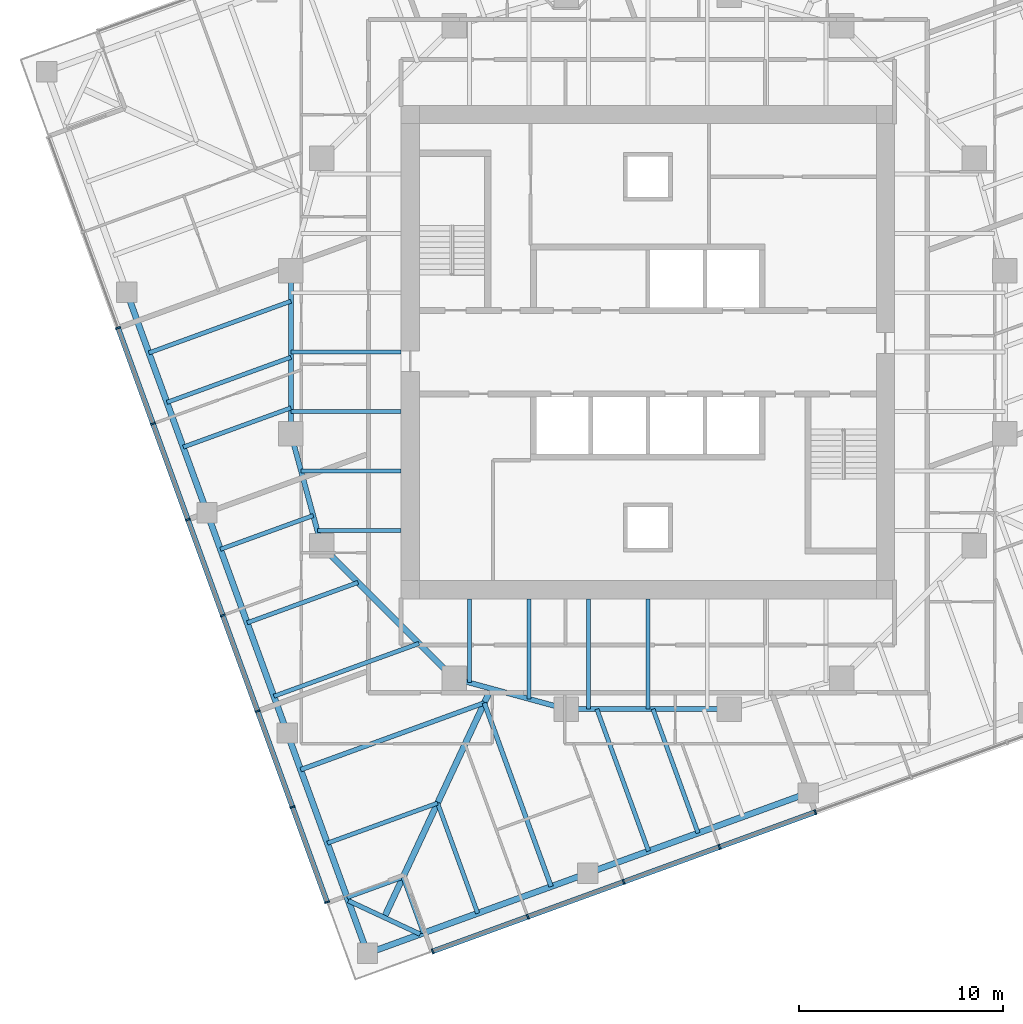
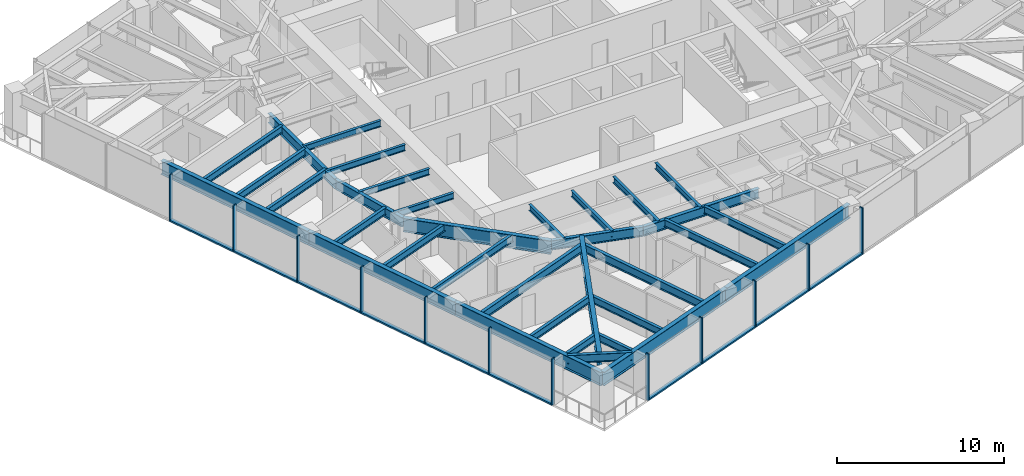
# One storey, part 2 of 13: 34 beams, 22 members, 2 elements without a shape of their own.
"""IFC4 building model written with IfcOpenShell, lengths in metres."""

from ifc_helpers import new_model, si_unit, direction, frame, origin, origin_2d, place, context, subcontext, project, spatial, rectangle, i_section, extrude, material, material_profile, profile_set, type_object, element, aggregate, save


model = new_model("IFC4")

# Units and contexts
model_context = context("Model", 3, precision=1e-05, world=origin(), true_north=direction((0.0, 1.0)))
body_context = subcontext(model_context, "Body", "Model", "MODEL_VIEW")
ifc_project = project(units=[si_unit("LENGTHUNIT", "METRE"), si_unit("AREAUNIT", "SQUARE_METRE"), si_unit("VOLUMEUNIT", "CUBIC_METRE"), si_unit("PLANEANGLEUNIT", "RADIAN"), si_unit("MASSUNIT", "GRAM", prefix="KILO")], contexts=[model_context])

# Site, building, storey
site_placement = place(None, origin())
site = spatial("IfcSite", under=ifc_project, at=site_placement, CompositionType="ELEMENT")
building_placement = place(site_placement, origin())
building = spatial("IfcBuilding", under=site, at=building_placement, Name="Torsade Residences", CompositionType="ELEMENT")
storey_placement = place(building_placement, frame((0.0, 0.0, 143.800048828125)))
storey = spatial("IfcBuildingStorey", under=building, at=storey_placement, Name="L39", CompositionType="ELEMENT", Elevation=143.800048828125)

# Beams
ifc_material_1 = material(Name="Steel grade 300", Category="steel")
ifc_material_profile_1 = material_profile(ifc_material_1, i_section(OverallWidth=0.300048828125, OverallDepth=0.89990234375, WebThickness=0.011962890625, FlangeThickness=0.02490234375, at=origin_2d()), Name="900WB175")
ifc_profile_set_1 = profile_set([ifc_material_profile_1], Name="Steel grade 300")
beam_type_1 = type_object("IfcBeamType", Name="CORNER GIRDER 900WB175", PredefinedType="BEAM", material=ifc_profile_set_1)
beam_1_placement = place(storey_placement, frame((27.075439453125, 2.282958984375, 2.800048828125), z_axis=(0.422616712682, 0.906308509373, 0.0), x_axis=(-0.906308509373, 0.422616712682, 0.0)))
element("IfcBeam", 1, at=beam_1_placement, inside=storey, type_object=beam_type_1, Name="Corner girder 01 L40", PredefinedType="BEAM", context=body_context, shape_type="SweptSolid", body=[
    extrude(i_section(OverallWidth=0.300048828125, OverallDepth=0.89990234375, WebThickness=0.011962890625, FlangeThickness=0.02490234375, at=origin_2d()), origin(), (0.0, 0.0, 1.0), 12.3837890625),
])
ifc_material_2 = material(Name="Steel grade 300", Category="steel")
ifc_material_profile_2 = material_profile(ifc_material_2, i_section(OverallWidth=0.22802734375, OverallDepth=0.60205078125, WebThickness=0.010498046875, FlangeThickness=0.014892578125, FilletRadius=0.013916015625, at=origin_2d()), Name="610UB101")
ifc_profile_set_2 = profile_set([ifc_material_profile_2], Name="Steel grade 300")
beam_type_2 = type_object("IfcBeamType", Name="CORNER TRIMMER 610UB101", PredefinedType="BEAM", material=ifc_profile_set_2)
beam_2_placement = place(storey_placement, frame((28.837646484375, 1.461181640625, 2.948974609375), z_axis=(-0.906309798645, 0.422613947806, 0.0), x_axis=(-0.422613947806, -0.906309798645, 0.0)))
element("IfcBeam", 2, at=beam_2_placement, inside=storey, type_object=beam_type_2, Name="Corner trimmer 01 L40", PredefinedType="BEAM", context=body_context, shape_type="SweptSolid", body=[
    extrude(i_section(OverallWidth=0.22802734375, OverallDepth=0.60205078125, WebThickness=0.010498046875, FlangeThickness=0.014892578125, FilletRadius=0.013916015625, at=origin_2d()), origin(), (0.0, 0.0, 1.0), 3.888916015625),
])
ifc_material_3 = material(Name="Steel grade 300", Category="steel")
ifc_material_profile_3 = material_profile(ifc_material_3, i_section(OverallWidth=0.300048828125, OverallDepth=1.0, WebThickness=0.01611328125, FlangeThickness=0.028076171875, at=origin_2d()), Name="1000WB215")
ifc_profile_set_3 = profile_set([ifc_material_profile_3], Name="Steel grade 300")
beam_type_3 = type_object("IfcBeamType", Name="EDGE BEAM 1000WB215", PredefinedType="SPANDREL", material=ifc_profile_set_3)
beam_3_placement = place(storey_placement, frame((26.25341796875, 0.5205078125, 2.75), z_axis=(0.93969110915, 0.342024296483, 0.0), x_axis=(-0.342024296483, 0.93969110915, 0.0)))
element("IfcBeam", 3, at=beam_3_placement, inside=storey, type_object=beam_type_3, Name="Edge beam 01 L40", PredefinedType="SPANDREL", context=body_context, shape_type="SweptSolid", body=[
    extrude(i_section(OverallWidth=0.300048828125, OverallDepth=1.0, WebThickness=0.01611328125, FlangeThickness=0.028076171875, at=origin_2d()), origin(), (0.0, 0.0, 1.0), 11.500244140625),
])
for number, where, z_axis, x_axis, name in (
    (4, (37.06005859375, 4.453857421875, 2.75), (0.939695448801, 0.342012373318, 0.0), (-0.342012373318, 0.939695448801, 0.0), "Edge beam 02 L40"),
    (5, (14.453857421875, 32.93994140625, 2.75), (0.342012373318, -0.939695448801, 0.0), (0.939695448801, 0.342012373318, 0.0), "Edge beam 14 L40"),
    (6, (18.386962890625, 22.133544921875, 2.75), (0.342031119628, -0.939688625666, 0.0), (0.939688625666, 0.342031119628, 0.0), "Edge beam 15 L40"),
    (7, (22.3203125, 11.3271484375, 2.75), (0.342005550448, -0.939697932031, 0.0), (0.939697932031, 0.342005550448, 0.0), "Edge beam 16 L40"),
):
    element("IfcBeam", number, at=place(storey_placement, frame(where, z_axis=z_axis, x_axis=x_axis)), inside=storey, type_object=beam_type_3, Name=name, PredefinedType="SPANDREL", context=body_context, shape_type="SweptSolid", body=[
        extrude(i_section(OverallWidth=0.300048828125, OverallDepth=1.0, WebThickness=0.01611328125, FlangeThickness=0.028076171875, at=origin_2d()), origin(), (0.0, 0.0, 1.0), 11.5),
    ])
ifc_material_4 = material(Name="Steel grade 300", Category="steel")
ifc_material_profile_4 = material_profile(ifc_material_4, i_section(OverallWidth=0.18994140625, OverallDepth=0.4541015625, WebThickness=0.008544921875, FlangeThickness=0.0126953125, FilletRadius=0.011474609375, at=origin_2d()), Name="460UB67.1")
ifc_profile_set_4 = profile_set([ifc_material_profile_4], Name="Steel grade 300")
beam_type_4 = type_object("IfcBeamType", Name="INNER FLOOR BEAM 460UB67.1", PredefinedType="JOIST", material=ifc_profile_set_4)
for number, where, z_axis, x_axis, name in (
    (8, (40.0, 17.89990234375, 3.02294921875), (0.0, -1.0, 0.0), (1.0, 0.0, 0.0), "Inner floor beam IS04 L40"),
    (9, (37.08740234375, 17.89990234375, 3.02294921875), (0.0, -1.0, 0.0), (1.0, 0.0, 0.0), "Inner floor beam IS05 L40"),
):
    element("IfcBeam", number, at=place(storey_placement, frame(where, z_axis=z_axis, x_axis=x_axis)), inside=storey, type_object=beam_type_4, Name=name, PredefinedType="JOIST", context=body_context, shape_type="SweptSolid", body=[
        extrude(i_section(OverallWidth=0.18994140625, OverallDepth=0.4541015625, WebThickness=0.008544921875, FlangeThickness=0.0126953125, FilletRadius=0.011474609375, at=origin_2d()), origin(), (0.0, 0.0, 1.0), 5.39990234375),
    ])
beam_4_placement = place(storey_placement, frame((34.175048828125, 17.89990234375, 3.02294921875), z_axis=(0.0, -1.0, 0.0), x_axis=(1.0, 0.0, 0.0)))
element("IfcBeam", 10, at=beam_4_placement, inside=storey, type_object=beam_type_4, Name="Inner floor beam IS06 L40", PredefinedType="JOIST", context=body_context, shape_type="SweptSolid", body=[
    extrude(i_section(OverallWidth=0.18994140625, OverallDepth=0.4541015625, WebThickness=0.008544921875, FlangeThickness=0.0126953125, FilletRadius=0.011474609375, at=origin_2d()), origin(), (0.0, 0.0, 1.0), 4.902099609375),
])
beam_5_placement = place(storey_placement, frame((31.262451171875, 17.89990234375, 3.02294921875), z_axis=(0.0, -1.0, 0.0), x_axis=(1.0, 0.0, 0.0)))
element("IfcBeam", 11, at=beam_5_placement, inside=storey, type_object=beam_type_4, Name="Inner floor beam IS07 L40", PredefinedType="JOIST", context=body_context, shape_type="SweptSolid", body=[
    extrude(i_section(OverallWidth=0.18994140625, OverallDepth=0.4541015625, WebThickness=0.008544921875, FlangeThickness=0.0126953125, FilletRadius=0.011474609375, at=origin_2d()), origin(), (0.0, 0.0, 1.0), 4.10791015625),
])
for number, where, z_axis, x_axis, name in (
    (12, (27.89990234375, 30.0, 3.02294921875), (-1.0, 0.0, 0.0), (0.0, -1.0, 0.0), "Inner floor beam IW04 L40"),
    (13, (27.89990234375, 27.08740234375, 3.02294921875), (-1.0, 0.0, 0.0), (0.0, -1.0, 0.0), "Inner floor beam IW05 L40"),
):
    element("IfcBeam", number, at=place(storey_placement, frame(where, z_axis=z_axis, x_axis=x_axis)), inside=storey, type_object=beam_type_4, Name=name, PredefinedType="JOIST", context=body_context, shape_type="SweptSolid", body=[
        extrude(i_section(OverallWidth=0.18994140625, OverallDepth=0.4541015625, WebThickness=0.008544921875, FlangeThickness=0.0126953125, FilletRadius=0.011474609375, at=origin_2d()), origin(), (0.0, 0.0, 1.0), 5.39990234375),
    ])
beam_6_placement = place(storey_placement, frame((27.89990234375, 24.175048828125, 3.02294921875), z_axis=(-1.0, 0.0, 0.0), x_axis=(0.0, -1.0, 0.0)))
element("IfcBeam", 14, at=beam_6_placement, inside=storey, type_object=beam_type_4, Name="Inner floor beam IW06 L40", PredefinedType="JOIST", context=body_context, shape_type="SweptSolid", body=[
    extrude(i_section(OverallWidth=0.18994140625, OverallDepth=0.4541015625, WebThickness=0.008544921875, FlangeThickness=0.0126953125, FilletRadius=0.011474609375, at=origin_2d()), origin(), (0.0, 0.0, 1.0), 4.902099609375),
])
beam_7_placement = place(storey_placement, frame((27.89990234375, 21.262451171875, 3.02294921875), z_axis=(-1.0, 0.0, 0.0), x_axis=(0.0, -1.0, 0.0)))
element("IfcBeam", 15, at=beam_7_placement, inside=storey, type_object=beam_type_4, Name="Inner floor beam IW07 L40", PredefinedType="JOIST", context=body_context, shape_type="SweptSolid", body=[
    extrude(i_section(OverallWidth=0.18994140625, OverallDepth=0.4541015625, WebThickness=0.008544921875, FlangeThickness=0.0126953125, FilletRadius=0.011474609375, at=origin_2d()), origin(), (0.0, 0.0, 1.0), 4.10791015625),
])

# Curtain wall, members
ifc_material_5 = material(Name="Aluminium and glass", Category="aluminium")
curtain_wall_type = type_object("IfcCurtainWallType", Name="FRITTED GLASS CURTAIN WALL MID ZONE", PredefinedType="NOTDEFINED", material=ifc_material_5)
curtain_wall_1_placement = place(storey_placement, origin())
curtain_wall_1 = element("IfcCurtainWall", 16, at=curtain_wall_1_placement, inside=storey, type_object=curtain_wall_type, Name="Curtain wall L39 face 1", PredefinedType="NOTDEFINED")
ifc_material_6 = material(Name="Aluminium mullion", Category="aluminium")
ifc_material_profile_5 = material_profile(ifc_material_6, rectangle(XDim=0.25, YDim=0.080078125, at=origin_2d()), Name="MID ZONE CURTAIN WALL MULLION 250x80")
ifc_profile_set_5 = profile_set([ifc_material_profile_5], Name="Aluminium mullion")
member_type_1 = type_object("IfcMemberType", Name="MID ZONE CURTAIN WALL MULLION 250x80", PredefinedType="MULLION", material=ifc_profile_set_5)
member_1_placement = place(storey_placement, frame((29.4521484375, 0.62060546875, 0.0), z_axis=(0.0, 0.0, 1.0), x_axis=(-0.342020147869, 0.939692619132, 0.0)))
member_1 = element("IfcMember", 17, at=member_1_placement, type_object=member_type_1, Name="Mullion 1", PredefinedType="MULLION", context=body_context, shape_type="SweptSolid", body=[
    extrude(rectangle(XDim=0.25, YDim=0.080078125, at=origin_2d()), origin(), (0.0, 0.0, 1.0), 3.39990234375),
])
member_2_placement = place(storey_placement, frame((34.113037109375, 2.317138671875, 0.0), z_axis=(0.0, 0.0, 1.0), x_axis=(-0.342020147869, 0.939692619132, 0.0)))
member_2 = element("IfcMember", 18, at=member_2_placement, type_object=member_type_1, Name="Mullion 2", PredefinedType="MULLION", context=body_context, shape_type="SweptSolid", body=[
    extrude(rectangle(XDim=0.25, YDim=0.080078125, at=origin_2d()), origin(), (0.0, 0.0, 1.0), 3.39990234375),
])
member_3_placement = place(storey_placement, frame((38.8115234375, 4.027099609375, 0.0), z_axis=(0.0, 0.0, 1.0), x_axis=(-0.342020147869, 0.939692619132, 0.0)))
member_3 = element("IfcMember", 19, at=member_3_placement, type_object=member_type_1, Name="Mullion 3", PredefinedType="MULLION", context=body_context, shape_type="SweptSolid", body=[
    extrude(rectangle(XDim=0.25, YDim=0.080078125, at=origin_2d()), origin(), (0.0, 0.0, 1.0), 3.39990234375),
])
member_4_placement = place(storey_placement, frame((43.510009765625, 5.7373046875, 0.0), z_axis=(0.0, 0.0, 1.0), x_axis=(-0.342020147869, 0.939692619132, 0.0)))
member_4 = element("IfcMember", 20, at=member_4_placement, type_object=member_type_1, Name="Mullion 4", PredefinedType="MULLION", context=body_context, shape_type="SweptSolid", body=[
    extrude(rectangle(XDim=0.25, YDim=0.080078125, at=origin_2d()), origin(), (0.0, 0.0, 1.0), 3.39990234375),
])
member_5_placement = place(storey_placement, frame((48.20849609375, 7.447265625, 0.0), z_axis=(0.0, 0.0, 1.0), x_axis=(-0.342020147869, 0.939692619132, 0.0)))
member_5 = element("IfcMember", 21, at=member_5_placement, type_object=member_type_1, Name="Mullion 5", PredefinedType="MULLION", context=body_context, shape_type="SweptSolid", body=[
    extrude(rectangle(XDim=0.25, YDim=0.080078125, at=origin_2d()), origin(), (0.0, 0.0, 1.0), 3.39990234375),
])

curtain_wall_2_placement = place(storey_placement, origin())
curtain_wall_2 = element("IfcCurtainWall", 22, at=curtain_wall_2_placement, inside=storey, type_object=curtain_wall_type, Name="Curtain wall L39 face 10", PredefinedType="NOTDEFINED")
member_6_placement = place(storey_placement, frame((14.027099609375, 31.1884765625, 0.0), z_axis=(0.0, 0.0, 1.0), x_axis=(0.939692619132, 0.342020147869, 0.0)))
member_6 = element("IfcMember", 23, at=member_6_placement, type_object=member_type_1, Name="Mullion 3", PredefinedType="MULLION", context=body_context, shape_type="SweptSolid", body=[
    extrude(rectangle(XDim=0.25, YDim=0.080078125, at=origin_2d()), origin(), (0.0, 0.0, 1.0), 3.39990234375),
])
member_7_placement = place(storey_placement, frame((15.7373046875, 26.489990234375, 0.0), z_axis=(0.0, 0.0, 1.0), x_axis=(0.939692619132, 0.342020147869, 0.0)))
member_7 = element("IfcMember", 24, at=member_7_placement, type_object=member_type_1, Name="Mullion 4", PredefinedType="MULLION", context=body_context, shape_type="SweptSolid", body=[
    extrude(rectangle(XDim=0.25, YDim=0.080078125, at=origin_2d()), origin(), (0.0, 0.0, 1.0), 3.39990234375),
])
member_8_placement = place(storey_placement, frame((17.447265625, 21.79150390625, 0.0), z_axis=(0.0, 0.0, 1.0), x_axis=(0.939692619132, 0.342020147869, 0.0)))
member_8 = element("IfcMember", 25, at=member_8_placement, type_object=member_type_1, Name="Mullion 5", PredefinedType="MULLION", context=body_context, shape_type="SweptSolid", body=[
    extrude(rectangle(XDim=0.25, YDim=0.080078125, at=origin_2d()), origin(), (0.0, 0.0, 1.0), 3.39990234375),
])
member_9_placement = place(storey_placement, frame((19.157470703125, 17.093017578125, 0.0), z_axis=(0.0, 0.0, 1.0), x_axis=(0.939692619132, 0.342020147869, 0.0)))
member_9 = element("IfcMember", 26, at=member_9_placement, type_object=member_type_1, Name="Mullion 6", PredefinedType="MULLION", context=body_context, shape_type="SweptSolid", body=[
    extrude(rectangle(XDim=0.25, YDim=0.080078125, at=origin_2d()), origin(), (0.0, 0.0, 1.0), 3.39990234375),
])
member_10_placement = place(storey_placement, frame((20.86767578125, 12.39453125, 0.0), z_axis=(0.0, 0.0, 1.0), x_axis=(0.939692619132, 0.342020147869, 0.0)))
member_10 = element("IfcMember", 27, at=member_10_placement, type_object=member_type_1, Name="Mullion 7", PredefinedType="MULLION", context=body_context, shape_type="SweptSolid", body=[
    extrude(rectangle(XDim=0.25, YDim=0.080078125, at=origin_2d()), origin(), (0.0, 0.0, 1.0), 3.39990234375),
])
member_11_placement = place(storey_placement, frame((22.57763671875, 7.696044921875, 0.0), z_axis=(0.0, 0.0, 1.0), x_axis=(0.939692619132, 0.342020147869, 0.0)))
member_11 = element("IfcMember", 28, at=member_11_placement, type_object=member_type_1, Name="Mullion 8", PredefinedType="MULLION", context=body_context, shape_type="SweptSolid", body=[
    extrude(rectangle(XDim=0.25, YDim=0.080078125, at=origin_2d()), origin(), (0.0, 0.0, 1.0), 3.39990234375),
])
member_12_placement = place(storey_placement, frame((24.274169921875, 3.03515625, 0.0), z_axis=(0.0, 0.0, 1.0), x_axis=(0.939692619132, 0.342020147869, 0.0)))
member_12 = element("IfcMember", 29, at=member_12_placement, type_object=member_type_1, Name="Mullion 9", PredefinedType="MULLION", context=body_context, shape_type="SweptSolid", body=[
    extrude(rectangle(XDim=0.25, YDim=0.080078125, at=origin_2d()), origin(), (0.0, 0.0, 1.0), 3.39990234375),
])

# Member
ifc_material_7 = material(Name="Aluminium transom", Category="aluminium")
ifc_material_profile_6 = material_profile(ifc_material_7, rectangle(XDim=0.25, YDim=0.110107421875, at=origin_2d()), Name="MID ZONE CURTAIN WALL TRANSOM 250x110")
ifc_profile_set_6 = profile_set([ifc_material_profile_6], Name="Aluminium transom")
member_type_2 = type_object("IfcMemberType", Name="MID ZONE CURTAIN WALL TRANSOM 250x110", PredefinedType="USERDEFINED", material=ifc_profile_set_6)
member_13_placement = place(storey_placement, frame((29.48974609375, 0.63427734375, 0.054931640625), z_axis=(0.939683823915, 0.342044311564, 0.0), x_axis=(-0.342044311564, 0.939683823915, 0.0)))
member_13 = element("IfcMember", 30, at=member_13_placement, type_object=member_type_2, Name="Transom 1.1", ObjectType="TRANSOM", PredefinedType="USERDEFINED", context=body_context, shape_type="SweptSolid", body=[
    extrude(rectangle(XDim=0.25, YDim=0.110107421875, at=origin_2d()), origin(), (0.0, 0.0, 1.0), 4.880126953125),
])

member_14_placement = place(storey_placement, frame((34.150634765625, 2.330810546875, 0.054931640625), z_axis=(0.9397006637, 0.341998044792, 0.0), x_axis=(-0.341998044792, 0.9397006637, 0.0)))
member_14 = element("IfcMember", 31, at=member_14_placement, type_object=member_type_2, Name="Transom 2.1", ObjectType="TRANSOM", PredefinedType="USERDEFINED", context=body_context, shape_type="SweptSolid", body=[
    extrude(rectangle(XDim=0.25, YDim=0.110107421875, at=origin_2d()), origin(), (0.0, 0.0, 1.0), 4.919921875),
])

member_15_placement = place(storey_placement, frame((38.84912109375, 4.040771484375, 0.054931640625), z_axis=(0.93968471549, 0.342041862168, 0.0), x_axis=(-0.342041862168, 0.93968471549, 0.0)))
member_15 = element("IfcMember", 32, at=member_15_placement, type_object=member_type_2, Name="Transom 3.1", ObjectType="TRANSOM", PredefinedType="USERDEFINED", context=body_context, shape_type="SweptSolid", body=[
    extrude(rectangle(XDim=0.25, YDim=0.110107421875, at=origin_2d()), origin(), (0.0, 0.0, 1.0), 4.920166015625),
])

member_16_placement = place(storey_placement, frame((43.547607421875, 5.7509765625, 0.054931640625), z_axis=(0.9397006637, 0.341998044792, 0.0), x_axis=(-0.341998044792, 0.9397006637, 0.0)))
member_16 = element("IfcMember", 33, at=member_16_placement, type_object=member_type_2, Name="Transom 4.1", ObjectType="TRANSOM", PredefinedType="USERDEFINED", context=body_context, shape_type="SweptSolid", body=[
    extrude(rectangle(XDim=0.25, YDim=0.110107421875, at=origin_2d()), origin(), (0.0, 0.0, 1.0), 4.919921875),
])

aggregate(curtain_wall_1, [member_1, member_2, member_3, member_4, member_5, member_13, member_14, member_15, member_16])

member_17_placement = place(storey_placement, frame((14.040771484375, 31.15087890625, 0.054931640625), z_axis=(0.342041862168, -0.93968471549, 0.0), x_axis=(0.93968471549, 0.342041862168, 0.0)))
member_17 = element("IfcMember", 34, at=member_17_placement, type_object=member_type_2, Name="Transom 3.1", ObjectType="TRANSOM", PredefinedType="USERDEFINED", context=body_context, shape_type="SweptSolid", body=[
    extrude(rectangle(XDim=0.25, YDim=0.110107421875, at=origin_2d()), origin(), (0.0, 0.0, 1.0), 4.920166015625),
])

member_18_placement = place(storey_placement, frame((15.7509765625, 26.452392578125, 0.054931640625), z_axis=(0.341998044792, -0.9397006637, 0.0), x_axis=(0.9397006637, 0.341998044792, 0.0)))
member_18 = element("IfcMember", 35, at=member_18_placement, type_object=member_type_2, Name="Transom 4.1", ObjectType="TRANSOM", PredefinedType="USERDEFINED", context=body_context, shape_type="SweptSolid", body=[
    extrude(rectangle(XDim=0.25, YDim=0.110107421875, at=origin_2d()), origin(), (0.0, 0.0, 1.0), 4.919921875),
])

member_19_placement = place(storey_placement, frame((17.4609375, 21.75390625, 0.054931640625), z_axis=(0.342041862168, -0.93968471549, 0.0), x_axis=(0.93968471549, 0.342041862168, 0.0)))
member_19 = element("IfcMember", 36, at=member_19_placement, type_object=member_type_2, Name="Transom 5.1", ObjectType="TRANSOM", PredefinedType="USERDEFINED", context=body_context, shape_type="SweptSolid", body=[
    extrude(rectangle(XDim=0.25, YDim=0.110107421875, at=origin_2d()), origin(), (0.0, 0.0, 1.0), 4.920166015625),
])

member_20_placement = place(storey_placement, frame((19.171142578125, 17.055419921875, 0.054931640625), z_axis=(0.342041862168, -0.93968471549, 0.0), x_axis=(0.93968471549, 0.342041862168, 0.0)))
member_20 = element("IfcMember", 37, at=member_20_placement, type_object=member_type_2, Name="Transom 6.1", ObjectType="TRANSOM", PredefinedType="USERDEFINED", context=body_context, shape_type="SweptSolid", body=[
    extrude(rectangle(XDim=0.25, YDim=0.110107421875, at=origin_2d()), origin(), (0.0, 0.0, 1.0), 4.920166015625),
])

member_21_placement = place(storey_placement, frame((20.88134765625, 12.35693359375, 0.054931640625), z_axis=(0.341998044792, -0.9397006637, 0.0), x_axis=(0.9397006637, 0.341998044792, 0.0)))
member_21 = element("IfcMember", 38, at=member_21_placement, type_object=member_type_2, Name="Transom 7.1", ObjectType="TRANSOM", PredefinedType="USERDEFINED", context=body_context, shape_type="SweptSolid", body=[
    extrude(rectangle(XDim=0.25, YDim=0.110107421875, at=origin_2d()), origin(), (0.0, 0.0, 1.0), 4.919921875),
])

member_22_placement = place(storey_placement, frame((22.59130859375, 7.658447265625, 0.054931640625), z_axis=(0.342044311564, -0.939683823915, 0.0), x_axis=(0.939683823915, 0.342044311564, 0.0)))
member_22 = element("IfcMember", 39, at=member_22_placement, type_object=member_type_2, Name="Transom 8.1", ObjectType="TRANSOM", PredefinedType="USERDEFINED", context=body_context, shape_type="SweptSolid", body=[
    extrude(rectangle(XDim=0.25, YDim=0.110107421875, at=origin_2d()), origin(), (0.0, 0.0, 1.0), 4.880126953125),
])

aggregate(curtain_wall_2, [member_6, member_7, member_8, member_9, member_10, member_11, member_12, member_17, member_18, member_19, member_20, member_21, member_22])

# Beams
ifc_material_8 = material(Name="Steel grade 300", Category="steel")
ifc_material_profile_7 = material_profile(ifc_material_8, i_section(OverallWidth=0.300048828125, OverallDepth=1.0, WebThickness=0.01611328125, FlangeThickness=0.028076171875, at=origin_2d()), Name="1000WB215")
ifc_profile_set_7 = profile_set([ifc_material_profile_7], Name="Steel grade 300")
beam_type_5 = type_object("IfcBeamType", Name="RING CORNER GIRDER 1000WB215", PredefinedType="BEAM", material=ifc_profile_set_7)
beam_8_placement = place(storey_placement, frame((24.0, 20.5, 2.75), z_axis=(0.707106781187, -0.707106781187, 0.0), x_axis=(0.707106781187, 0.707106781187, 0.0)))
element("IfcBeam", 40, at=beam_8_placement, inside=storey, type_object=beam_type_5, Name="Ring girder IR11 L40", PredefinedType="BEAM", context=body_context, shape_type="SweptSolid", body=[
    extrude(i_section(OverallWidth=0.300048828125, OverallDepth=1.0, WebThickness=0.01611328125, FlangeThickness=0.028076171875, at=origin_2d()), origin(), (0.0, 0.0, 1.0), 9.1923828125),
])
ifc_material_9 = material(Name="Steel grade 300", Category="steel")
ifc_material_profile_8 = material_profile(ifc_material_9, i_section(OverallWidth=0.25, OverallDepth=0.699951171875, WebThickness=0.010009765625, FlangeThickness=0.02001953125, at=origin_2d()), Name="700WB130")
ifc_profile_set_8 = profile_set([ifc_material_profile_8], Name="Steel grade 300")
beam_type_6 = type_object("IfcBeamType", Name="RING GIRDER 700WB130", PredefinedType="BEAM", material=ifc_profile_set_8)
beam_9_placement = place(storey_placement, frame((22.5, 34.0, 2.89990234375), z_axis=(0.0, -1.0, 0.0), x_axis=(1.0, 0.0, 0.0)))
element("IfcBeam", 41, at=beam_9_placement, inside=storey, type_object=beam_type_6, Name="Ring girder IR09 L40", PredefinedType="BEAM", context=body_context, shape_type="SweptSolid", body=[
    extrude(i_section(OverallWidth=0.25, OverallDepth=0.699951171875, WebThickness=0.010009765625, FlangeThickness=0.02001953125, at=origin_2d()), origin(), (0.0, 0.0, 1.0), 8.0),
])
for number, where, z_axis, x_axis, name in (
    (42, (22.5, 26.0, 2.89990234375), (0.263117405792, -0.964763821238, 0.0), (0.964763821238, 0.263117405792, 0.0), "Ring girder IR10 L40"),
    (43, (30.5, 14.0, 2.89990234375), (0.964763821238, -0.263117405792, 0.0), (0.263117405792, 0.964763821238, 0.0), "Ring girder IR12 L40"),
):
    element("IfcBeam", number, at=place(storey_placement, frame(where, z_axis=z_axis, x_axis=x_axis)), inside=storey, type_object=beam_type_6, Name=name, PredefinedType="BEAM", context=body_context, shape_type="SweptSolid", body=[
        extrude(i_section(OverallWidth=0.25, OverallDepth=0.699951171875, WebThickness=0.010009765625, FlangeThickness=0.02001953125, at=origin_2d()), origin(), (0.0, 0.0, 1.0), 5.700927734375),
    ])
beam_10_placement = place(storey_placement, frame((36.0, 12.5, 2.89990234375), z_axis=(1.0, 0.0, 0.0), x_axis=(0.0, 1.0, 0.0)))
element("IfcBeam", 44, at=beam_10_placement, inside=storey, type_object=beam_type_6, Name="Ring girder IR13 L40", PredefinedType="BEAM", context=body_context, shape_type="SweptSolid", body=[
    extrude(i_section(OverallWidth=0.25, OverallDepth=0.699951171875, WebThickness=0.010009765625, FlangeThickness=0.02001953125, at=origin_2d()), origin(), (0.0, 0.0, 1.0), 8.0),
])
ifc_material_10 = material(Name="Steel grade 300", Category="steel")
ifc_material_profile_9 = material_profile(ifc_material_10, i_section(OverallWidth=0.208984375, OverallDepth=0.528076171875, WebThickness=0.009521484375, FlangeThickness=0.01318359375, FilletRadius=0.013916015625, at=origin_2d()), Name="530UB82.0")
ifc_profile_set_9 = profile_set([ifc_material_profile_9], Name="Steel grade 300")
beam_type_7 = type_object("IfcBeamType", Name="SECONDARY BEAM 530UB82.0", PredefinedType="JOIST", material=ifc_profile_set_9)
beam_11_placement = place(storey_placement, frame((28.994384765625, 1.51806640625, 2.98583984375), z_axis=(-0.341998427281, 0.939700524495, 0.0), x_axis=(-0.939700524495, -0.341998427281, 0.0)))
element("IfcBeam", 45, at=beam_11_placement, inside=storey, type_object=beam_type_7, Name="Floor beam FS01 L40", PredefinedType="JOIST", context=body_context, shape_type="SweptSolid", body=[
    extrude(i_section(OverallWidth=0.208984375, OverallDepth=0.528076171875, WebThickness=0.009521484375, FlangeThickness=0.01318359375, FilletRadius=0.013916015625, at=origin_2d()), origin(), (0.0, 0.0, 1.0), 2.916748046875),
])
beam_12_placement = place(storey_placement, frame((31.65673828125, 2.4873046875, 2.98583984375), z_axis=(-0.342019196443, 0.939692965423, 0.0), x_axis=(-0.939692965423, -0.342019196443, 0.0)))
element("IfcBeam", 46, at=beam_12_placement, inside=storey, type_object=beam_type_7, Name="Floor beam FS02 L40", PredefinedType="JOIST", context=body_context, shape_type="SweptSolid", body=[
    extrude(i_section(OverallWidth=0.208984375, OverallDepth=0.528076171875, WebThickness=0.009521484375, FlangeThickness=0.01318359375, FilletRadius=0.013916015625, at=origin_2d()), origin(), (0.0, 0.0, 1.0), 5.749755859375),
])
beam_13_placement = place(storey_placement, frame((40.03564453125, 5.536865234375, 2.98583984375), z_axis=(-0.342026105929, 0.939690450554, 0.0), x_axis=(-0.939690450554, -0.342026105929, 0.0)))
element("IfcBeam", 47, at=beam_13_placement, inside=storey, type_object=beam_type_7, Name="Floor beam FS04 L40", PredefinedType="JOIST", context=body_context, shape_type="SweptSolid", body=[
    extrude(i_section(OverallWidth=0.208984375, OverallDepth=0.528076171875, WebThickness=0.009521484375, FlangeThickness=0.01318359375, FilletRadius=0.013916015625, at=origin_2d()), origin(), (0.0, 0.0, 1.0), 7.409912109375),
])
beam_14_placement = place(storey_placement, frame((42.463134765625, 6.42041015625, 2.98583984375), z_axis=(-0.342000590983, 0.939699737026, 0.0), x_axis=(-0.939699737026, -0.342000590983, 0.0)))
element("IfcBeam", 48, at=beam_14_placement, inside=storey, type_object=beam_type_7, Name="Floor beam FS05 L40", PredefinedType="JOIST", context=body_context, shape_type="SweptSolid", body=[
    extrude(i_section(OverallWidth=0.208984375, OverallDepth=0.528076171875, WebThickness=0.009521484375, FlangeThickness=0.01318359375, FilletRadius=0.013916015625, at=origin_2d()), origin(), (0.0, 0.0, 1.0), 6.4697265625),
])
beam_15_placement = place(storey_placement, frame((15.536865234375, 29.96435546875, 2.98583984375), z_axis=(0.939690450554, 0.342026105929, 0.0), x_axis=(-0.342026105929, 0.939690450554, 0.0)))
element("IfcBeam", 49, at=beam_15_placement, inside=storey, type_object=beam_type_7, Name="Floor beam FW04 L40", PredefinedType="JOIST", context=body_context, shape_type="SweptSolid", body=[
    extrude(i_section(OverallWidth=0.208984375, OverallDepth=0.528076171875, WebThickness=0.009521484375, FlangeThickness=0.01318359375, FilletRadius=0.013916015625, at=origin_2d()), origin(), (0.0, 0.0, 1.0), 7.409912109375),
])
beam_16_placement = place(storey_placement, frame((16.42041015625, 27.536865234375, 2.98583984375), z_axis=(0.939699737026, 0.342000590983, 0.0), x_axis=(-0.342000590983, 0.939699737026, 0.0)))
element("IfcBeam", 50, at=beam_16_placement, inside=storey, type_object=beam_type_7, Name="Floor beam FW05 L40", PredefinedType="JOIST", context=body_context, shape_type="SweptSolid", body=[
    extrude(i_section(OverallWidth=0.208984375, OverallDepth=0.528076171875, WebThickness=0.009521484375, FlangeThickness=0.01318359375, FilletRadius=0.013916015625, at=origin_2d()), origin(), (0.0, 0.0, 1.0), 6.4697265625),
])
beam_17_placement = place(storey_placement, frame((17.218505859375, 25.34423828125, 2.98583984375), z_axis=(0.939703343336, 0.341990681925, 0.0), x_axis=(-0.341990681925, 0.939703343336, 0.0)))
element("IfcBeam", 51, at=beam_17_placement, inside=storey, type_object=beam_type_7, Name="Floor beam FW06 L40", PredefinedType="JOIST", context=body_context, shape_type="SweptSolid", body=[
    extrude(i_section(OverallWidth=0.208984375, OverallDepth=0.528076171875, WebThickness=0.009521484375, FlangeThickness=0.01318359375, FilletRadius=0.013916015625, at=origin_2d()), origin(), (0.0, 0.0, 1.0), 5.620361328125),
])
beam_18_placement = place(storey_placement, frame((19.042724609375, 20.33251953125, 2.98583984375), z_axis=(0.939694777187, 0.342014218604, 0.0), x_axis=(-0.342014218604, 0.939694777187, 0.0)))
element("IfcBeam", 52, at=beam_18_placement, inside=storey, type_object=beam_type_7, Name="Floor beam FW07 L40", PredefinedType="JOIST", context=body_context, shape_type="SweptSolid", body=[
    extrude(i_section(OverallWidth=0.208984375, OverallDepth=0.528076171875, WebThickness=0.009521484375, FlangeThickness=0.01318359375, FilletRadius=0.013916015625, at=origin_2d()), origin(), (0.0, 0.0, 1.0), 4.84326171875),
])
beam_19_placement = place(storey_placement, frame((20.353759765625, 16.730224609375, 2.98583984375), z_axis=(0.939687428295, 0.342034409239, 0.0), x_axis=(-0.342034409239, 0.939687428295, 0.0)))
element("IfcBeam", 53, at=beam_19_placement, inside=storey, type_object=beam_type_7, Name="Floor beam FW08 L40", PredefinedType="JOIST", context=body_context, shape_type="SweptSolid", body=[
    extrude(i_section(OverallWidth=0.208984375, OverallDepth=0.528076171875, WebThickness=0.009521484375, FlangeThickness=0.01318359375, FilletRadius=0.013916015625, at=origin_2d()), origin(), (0.0, 0.0, 1.0), 5.785888671875),
])
beam_20_placement = place(storey_placement, frame((21.664794921875, 13.128173828125, 2.98583984375), z_axis=(0.939689847531, 0.342027762686, 0.0), x_axis=(-0.342027762686, 0.939689847531, 0.0)))
element("IfcBeam", 54, at=beam_20_placement, inside=storey, type_object=beam_type_7, Name="Floor beam FW09 L40", PredefinedType="JOIST", context=body_context, shape_type="SweptSolid", body=[
    extrude(i_section(OverallWidth=0.208984375, OverallDepth=0.528076171875, WebThickness=0.009521484375, FlangeThickness=0.01318359375, FilletRadius=0.013916015625, at=origin_2d()), origin(), (0.0, 0.0, 1.0), 7.573486328125),
])
beam_21_placement = place(storey_placement, frame((24.286865234375, 5.923828125, 2.98583984375), z_axis=(0.939697932031, 0.342005550448, 0.0), x_axis=(-0.342005550448, 0.939697932031, 0.0)))
element("IfcBeam", 55, at=beam_21_placement, inside=storey, type_object=beam_type_7, Name="Floor beam FW11 L40", PredefinedType="JOIST", context=body_context, shape_type="SweptSolid", body=[
    extrude(i_section(OverallWidth=0.208984375, OverallDepth=0.528076171875, WebThickness=0.009521484375, FlangeThickness=0.01318359375, FilletRadius=0.013916015625, at=origin_2d()), origin(), (0.0, 0.0, 1.0), 5.75),
])
beam_22_placement = place(storey_placement, frame((25.255859375, 3.261474609375, 2.98583984375), z_axis=(0.939700524495, 0.341998427281, 0.0), x_axis=(-0.341998427281, 0.939700524495, 0.0)))
element("IfcBeam", 56, at=beam_22_placement, inside=storey, type_object=beam_type_7, Name="Floor beam FW12 L40", PredefinedType="JOIST", context=body_context, shape_type="SweptSolid", body=[
    extrude(i_section(OverallWidth=0.208984375, OverallDepth=0.528076171875, WebThickness=0.009521484375, FlangeThickness=0.01318359375, FilletRadius=0.013916015625, at=origin_2d()), origin(), (0.0, 0.0, 1.0), 2.916748046875),
])
ifc_material_11 = material(Name="Steel grade 300", Category="steel")
ifc_material_profile_10 = material_profile(ifc_material_11, i_section(OverallWidth=0.22900390625, OverallDepth=0.612060546875, WebThickness=0.011962890625, FlangeThickness=0.01953125, FilletRadius=0.013916015625, at=origin_2d()), Name="610UB125")
ifc_profile_set_10 = profile_set([ifc_material_profile_10], Name="Steel grade 300")
beam_type_8 = type_object("IfcBeamType", Name="SECONDARY BEAM 610UB125", PredefinedType="JOIST", material=ifc_profile_set_10)
for number, where, z_axis, x_axis, name in (
    (57, (35.259033203125, 3.79833984375, 2.94384765625), (-0.342033504181, 0.939687757725, 0.0), (-0.939687757725, -0.342033504181, 0.0), "Floor beam FS03 L40"),
    (58, (22.975830078125, 9.52587890625, 2.94384765625), (0.939687757725, 0.342033504181, 0.0), (-0.342033504181, 0.939687757725, 0.0), "Floor beam FW10 L40"),
):
    element("IfcBeam", number, at=place(storey_placement, frame(where, z_axis=z_axis, x_axis=x_axis)), inside=storey, type_object=beam_type_8, Name=name, PredefinedType="JOIST", context=body_context, shape_type="SweptSolid", body=[
        extrude(i_section(OverallWidth=0.22900390625, OverallDepth=0.612060546875, WebThickness=0.011962890625, FlangeThickness=0.01953125, FilletRadius=0.013916015625, at=origin_2d()), origin(), (0.0, 0.0, 1.0), 9.583251953125),
    ])

save(model, "model.ifc")
